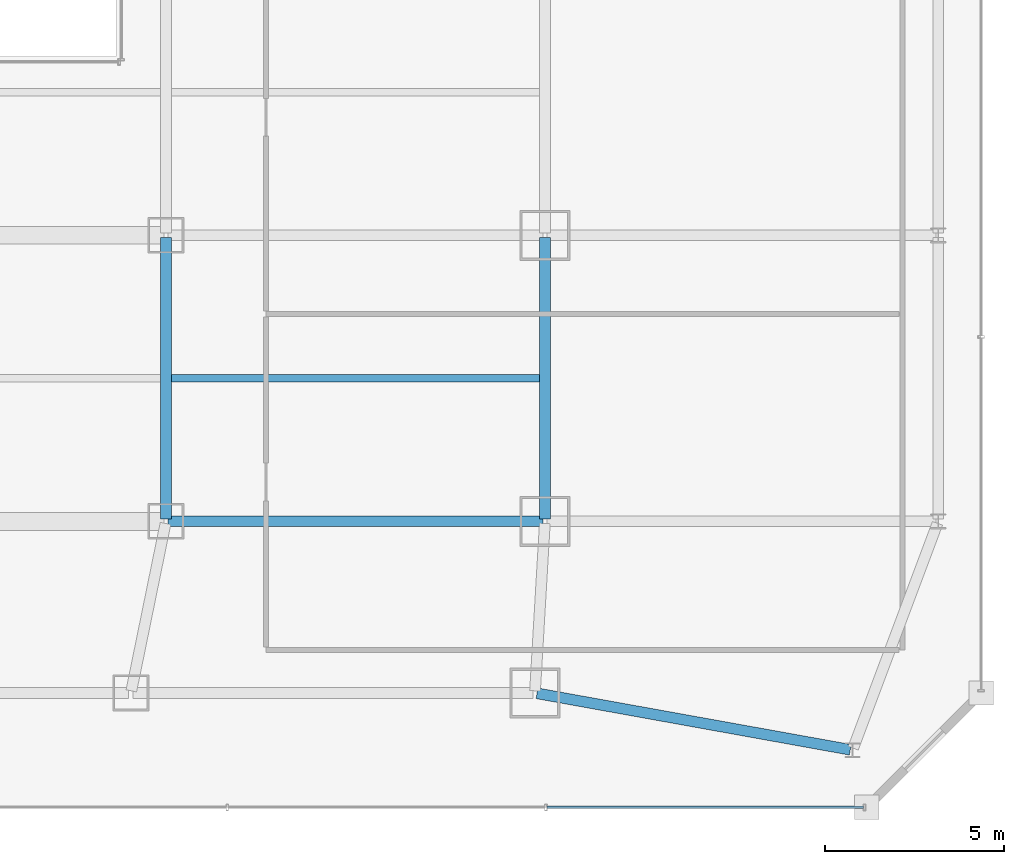
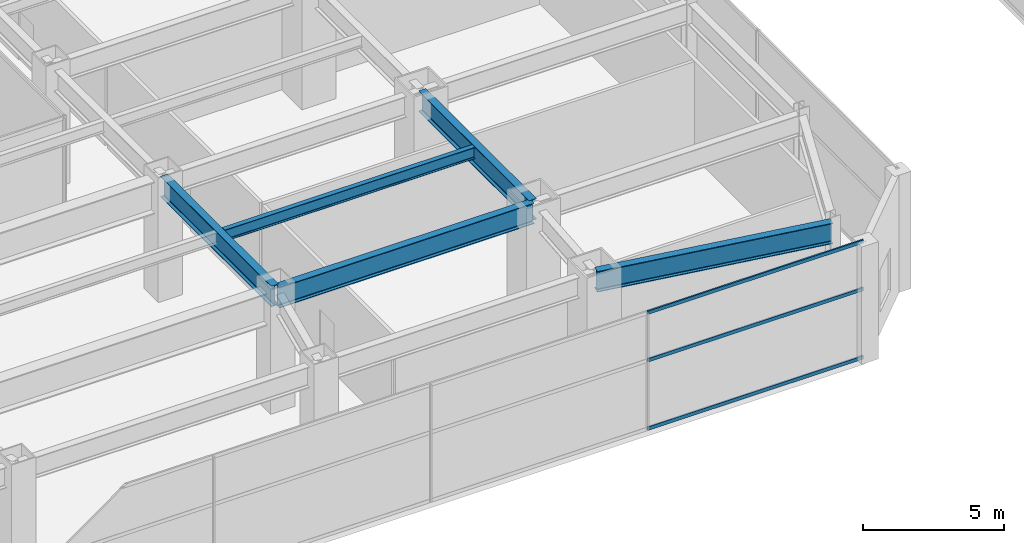
# One storey, part 16 of 52: 5 beams, 3 members, 1 element without a shape of its own.
"""IFC4 building model written with IfcOpenShell, lengths in metres."""

from ifc_helpers import new_model, si_unit, direction, frame, origin, origin_2d, place, context, subcontext, project, spatial, hollow_rectangle, i_section, extrude, material, material_profile, profile_set, type_object, element, aggregate, save


model = new_model("IFC4")

# Units and contexts
model_context = context("Model", 3, precision=1e-05, world=origin(), true_north=direction((0.0, 1.0)))
body_context = subcontext(model_context, "Body", "Model", "MODEL_VIEW")
ifc_project = project(units=[si_unit("LENGTHUNIT", "METRE"), si_unit("AREAUNIT", "SQUARE_METRE"), si_unit("VOLUMEUNIT", "CUBIC_METRE"), si_unit("PLANEANGLEUNIT", "RADIAN"), si_unit("MASSUNIT", "GRAM", prefix="KILO")], contexts=[model_context])

# Site, building, storey
site_placement = place(None, origin())
site = spatial("IfcSite", under=ifc_project, at=site_placement, CompositionType="ELEMENT")
building_placement = place(site_placement, origin())
building = spatial("IfcBuilding", under=site, at=building_placement, Name="Saevonmaru Cultural Tower", CompositionType="ELEMENT")
storey_placement = place(building_placement, frame((0.0, 0.0, 16.800048828125)))
storey = spatial("IfcBuildingStorey", under=building, at=storey_placement, Name="L03", CompositionType="ELEMENT", Elevation=16.800048828125)

# Beams
ifc_material_1 = material(Name="Steel SM420", Category="steel")
ifc_material_profile_1 = material_profile(ifc_material_1, i_section(OverallWidth=0.300048828125, OverallDepth=0.89990234375, WebThickness=0.01611328125, FlangeThickness=0.028076171875, FilletRadius=0.028076171875, at=origin_2d()), Name="H-900x300x16x28")
ifc_profile_set_1 = profile_set([ifc_material_profile_1], Name="Steel SM420")
beam_type_1 = type_object("IfcBeamType", Name="BM-G-H900", PredefinedType="BEAM", material=ifc_profile_set_1)
for number, where, z_axis, x_axis, name in (
    (1, (37.199951171875, 8.06005859375, 4.64990234375), (0.0, 1.0, 0.0), (-1.0, 0.0, 0.0), "L03 Podium Girder NS3-2"),
    (2, (47.800048828125, 8.06005859375, 4.64990234375), (0.0, 1.0, 0.0), (-1.0, 0.0, 0.0), "L03 Podium Girder NS4-2"),
):
    element("IfcBeam", number, at=place(storey_placement, frame(where, z_axis=z_axis, x_axis=x_axis)), inside=storey, type_object=beam_type_1, Name=name, PredefinedType="BEAM", context=body_context, shape_type="SweptSolid", body=[
        extrude(i_section(OverallWidth=0.300048828125, OverallDepth=0.89990234375, WebThickness=0.01611328125, FlangeThickness=0.028076171875, FilletRadius=0.028076171875, at=origin_2d()), origin(), (0.0, 0.0, 1.0), 7.8798828125),
    ])
beam_1_placement = place(storey_placement, frame((37.260009765625, 8.0, 4.64990234375), z_axis=(1.0, 0.0, 0.0), x_axis=(0.0, 1.0, 0.0)))
element("IfcBeam", 3, at=beam_1_placement, inside=storey, type_object=beam_type_1, Name="L03 Gallery Girder E-1", PredefinedType="BEAM", context=body_context, shape_type="SweptSolid", body=[
    extrude(i_section(OverallWidth=0.300048828125, OverallDepth=0.89990234375, WebThickness=0.01611328125, FlangeThickness=0.028076171875, FilletRadius=0.028076171875, at=origin_2d()), origin(), (0.0, 0.0, 1.0), 10.47998046875),
])
beam_2_placement = place(storey_placement, frame((47.5791015625, 3.189453125, 4.64990234375), z_axis=(0.984149934695, -0.177338394151, 0.0), x_axis=(0.177338394151, 0.984149934695, 0.0)))
element("IfcBeam", 4, at=beam_2_placement, inside=storey, type_object=beam_type_1, Name="BM-POD-PS-2-L03", PredefinedType="BEAM", context=body_context, shape_type="SweptSolid", body=[
    extrude(i_section(OverallWidth=0.300048828125, OverallDepth=0.89990234375, WebThickness=0.01611328125, FlangeThickness=0.028076171875, FilletRadius=0.028076171875, at=origin_2d()), origin(), (0.0, 0.0, 1.0), 8.903076171875),
])
ifc_material_2 = material(Name="Steel SM355", Category="steel")
ifc_material_profile_2 = material_profile(ifc_material_2, i_section(OverallWidth=0.199951171875, OverallDepth=0.5, WebThickness=0.010009765625, FlangeThickness=0.01611328125, FilletRadius=0.02001953125, at=origin_2d()), Name="H-500x200x10x16")
ifc_profile_set_2 = profile_set([ifc_material_profile_2], Name="Steel SM355")
beam_type_2 = type_object("IfcBeamType", Name="BM-J-H500", PredefinedType="JOIST", material=ifc_profile_set_2)
beam_3_placement = place(storey_placement, frame((37.35791015625, 12.0, 4.849853515625), z_axis=(1.0, 0.0, 0.0), x_axis=(0.0, 1.0, 0.0)))
element("IfcBeam", 5, at=beam_3_placement, inside=storey, type_object=beam_type_2, Name="L03 Secondary Floor Joist JE-1", PredefinedType="JOIST", context=body_context, shape_type="SweptSolid", body=[
    extrude(i_section(OverallWidth=0.199951171875, OverallDepth=0.5, WebThickness=0.010009765625, FlangeThickness=0.01611328125, FilletRadius=0.02001953125, at=origin_2d()), origin(), (0.0, 0.0, 1.0), 10.2841796875),
])

# Curtain wall, members
ifc_material_3 = material(Name="Satin Bronze Anodised Aluminium", Category="aluminium")
curtain_wall_type = type_object("IfcCurtainWallType", Name="CW-POD-GLZ", PredefinedType="NOTDEFINED", material=ifc_material_3)
curtain_wall_placement = place(storey_placement, origin())
curtain_wall = element("IfcCurtainWall", 6, at=curtain_wall_placement, inside=storey, type_object=curtain_wall_type, Name="L03 South Grand Foyer Curtain Wall", PredefinedType="NOTDEFINED")
ifc_material_profile_3 = material_profile(ifc_material_3, hollow_rectangle(XDim=0.06494140625, YDim=0.14990234375, WallThickness=0.00390625, at=origin_2d()), Name="ALU-TRAN-150x65x4")
ifc_profile_set_3 = profile_set([ifc_material_profile_3], Name="Satin Bronze Anodised Aluminium")
member_type = type_object("IfcMemberType", Name="TR-CW-150x65", PredefinedType="USERDEFINED", material=ifc_profile_set_3)
member_1_placement = place(storey_placement, frame((47.859130859375, 0.0, 0.032470703125), z_axis=(1.0, 0.0, 0.0), x_axis=(0.0, 1.0, 0.0)))
member_1 = element("IfcMember", 7, at=member_1_placement, type_object=member_type, Name="CW-POD-S-L03 transom 6.1", ObjectType="TRANSOM", PredefinedType="USERDEFINED", context=body_context, shape_type="SweptSolid", body=[
    extrude(hollow_rectangle(XDim=0.06494140625, YDim=0.14990234375, WallThickness=0.00390625, at=origin_2d()), origin(), (0.0, 0.0, 1.0), 8.848388671875),
])
member_2_placement = place(storey_placement, frame((47.859130859375, 0.0, 3.0), z_axis=(1.0, 0.0, 0.0), x_axis=(0.0, 1.0, 0.0)))
member_2 = element("IfcMember", 8, at=member_2_placement, type_object=member_type, Name="CW-POD-S-L03 transom 6.2", ObjectType="TRANSOM", PredefinedType="USERDEFINED", context=body_context, shape_type="SweptSolid", body=[
    extrude(hollow_rectangle(XDim=0.06494140625, YDim=0.14990234375, WallThickness=0.00390625, at=origin_2d()), origin(), (0.0, 0.0, 1.0), 8.848388671875),
])
member_3_placement = place(storey_placement, frame((47.859130859375, 0.0, 5.0673828125), z_axis=(1.0, 0.0, 0.0), x_axis=(0.0, 1.0, 0.0)))
member_3 = element("IfcMember", 9, at=member_3_placement, type_object=member_type, Name="CW-POD-S-L03 transom 6.3", ObjectType="TRANSOM", PredefinedType="USERDEFINED", context=body_context, shape_type="SweptSolid", body=[
    extrude(hollow_rectangle(XDim=0.06494140625, YDim=0.14990234375, WallThickness=0.00390625, at=origin_2d()), origin(), (0.0, 0.0, 1.0), 8.848388671875),
])
aggregate(curtain_wall, [member_1, member_2, member_3])

save(model, "model.ifc")
